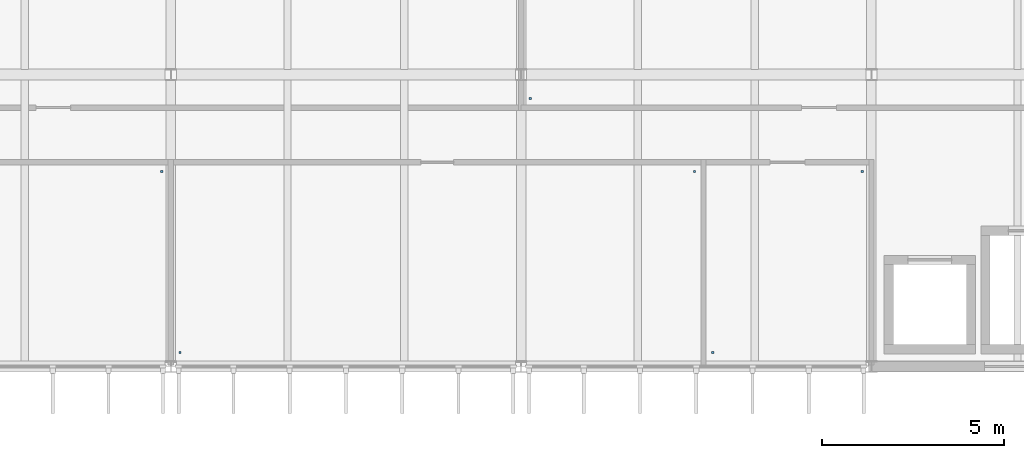
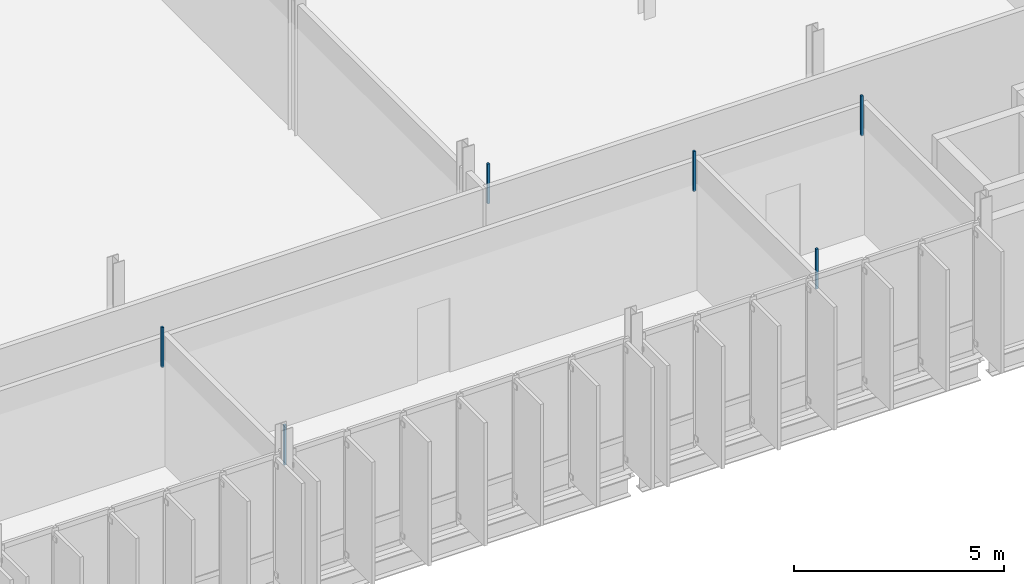
# One storey, part 80 of 110: 6 discrete accessories.
"""IFC4 building model written with IfcOpenShell, lengths in metres."""

import ifcopenshell
import ifcopenshell.guid

model = None  # the IFC model being written
_history = None  # IfcOwnerHistory: only IFC2X3 demands one
_inside = {}  # id of a spatial element -> (the spatial element, [elements in it])
_under = {}  # id of a project, library or spatial element -> (it, [spatial elements below it])
_declared = {}  # id of a project -> (the project, [libraries it declares])
_typed = {}  # id of a type object -> (the type object, [elements of that type])
_made_of = {}  # id of a material, layer set ... -> (it, [elements and type objects made of it])


def new_model(schema):
    """Start an empty IFC model of exactly this schema.

    Asked for "IFC4X3", IfcOpenShell would pick the latest addendum, in which some entities
    have other attributes; the version numbers below select the first issue.
    IFC2X3 requires an IfcOwnerHistory on every rooted entity: one is made here for all.
    """
    global model, _history
    if schema == "IFC4X3":
        model = ifcopenshell.file(schema_version=(4, 3, 0, 0))
    else:
        model = ifcopenshell.file(schema=schema)
    _inside.clear()
    _under.clear()
    _declared.clear()
    _typed.clear()
    _made_of.clear()
    _history = None
    if model.schema == "IFC2X3":
        org = make("IfcOrganization", Name="unknown")
        user = make(
            "IfcPersonAndOrganization",
            ThePerson=make("IfcPerson", FamilyName="unknown"),
            TheOrganization=org,
        )
        app = make(
            "IfcApplication",
            ApplicationDeveloper=org,
            Version="unknown",
            ApplicationFullName="unknown",
            ApplicationIdentifier="unknown",
        )
        _history = make(
            "IfcOwnerHistory",
            OwningUser=user,
            OwningApplication=app,
            ChangeAction="ADDED",
            CreationDate=0,
        )
    return model


def make(cls, **values):
    """One entity of the class cls with the attributes given. An attribute that is None is left unset."""
    return model.create_entity(
        cls, **{name: value for name, value in values.items() if value is not None}
    )


def rooted(cls, **values):
    """An entity with a GlobalId (a new one), such as an element, a storey or a relation."""
    return make(cls, GlobalId=ifcopenshell.guid.new(), OwnerHistory=_history, **values)


def si_unit(unit_type, name, prefix=None):
    """IfcSIUnit, for example si_unit("LENGTHUNIT", "METRE", prefix="MILLI")."""
    return make("IfcSIUnit", UnitType=unit_type, Prefix=prefix, Name=name)


def assignment(units):
    """IfcUnitAssignment: the units of a project."""
    return None if units is None else make("IfcUnitAssignment", Units=units)


def point(xyz):
    """IfcCartesianPoint."""
    return None if xyz is None else make("IfcCartesianPoint", Coordinates=xyz)


def direction(xyz):
    """IfcDirection."""
    return None if xyz is None else make("IfcDirection", DirectionRatios=xyz)


def frame(location, z_axis=None, x_axis=None):
    """IfcAxis2Placement3D, a coordinate frame: its origin and axes. An axis left out is left unset."""
    return make(
        "IfcAxis2Placement3D",
        Location=point(location),
        Axis=direction(z_axis),
        RefDirection=direction(x_axis),
    )


def origin():
    """The frame at (0, 0, 0) with its axes left unset."""
    return frame((0.0, 0.0, 0.0))


def place(relative_to, where):
    """IfcLocalPlacement: puts the frame where relative to a parent placement (None: the world)."""
    return make(
        "IfcLocalPlacement", PlacementRelTo=relative_to, RelativePlacement=where
    )


def context(
    kind, dimensions, precision=None, world=None, true_north=None, identifier=None
):
    """IfcGeometricRepresentationContext, for example the 3D "Model" context."""
    return make(
        "IfcGeometricRepresentationContext",
        ContextIdentifier=identifier,
        ContextType=kind,
        CoordinateSpaceDimension=dimensions,
        Precision=precision,
        WorldCoordinateSystem=world,
        TrueNorth=true_north,
    )


def subcontext(parent, identifier, kind, view, scale=None):
    """IfcGeometricRepresentationSubContext, for example "Body" below "Model"."""
    return make(
        "IfcGeometricRepresentationSubContext",
        ContextIdentifier=identifier,
        ContextType=kind,
        ParentContext=parent,
        TargetScale=scale,
        TargetView=view,
    )


def project(units=None, contexts=None):
    """IfcProject with its units and contexts."""
    return rooted(
        "IfcProject",
        Name="project",
        RepresentationContexts=contexts,
        UnitsInContext=assignment(units),
    )


def spatial(cls, under=None, at=None, **own):
    """A site, building, storey or space (cls), placed at a placement, below another one or the project."""
    s = rooted(cls, ObjectPlacement=at, **own)
    if under is not None:
        _under.setdefault(under.id(), (under, []))[1].append(s)
    return s


def polyline(points):
    """IfcPolyline through the points."""
    return make("IfcPolyline", Points=[point(p) for p in points])


def outline(outer, holes=None, kind="AREA"):
    """IfcArbitraryClosedProfileDef: a profile drawn as a closed curve; with holes, ...WithVoids."""
    if holes is None:
        return make("IfcArbitraryClosedProfileDef", ProfileType=kind, OuterCurve=outer)
    return make(
        "IfcArbitraryProfileDefWithVoids",
        ProfileType=kind,
        OuterCurve=outer,
        InnerCurves=holes,
    )


def extrude(swept, where, along, depth):
    """IfcExtrudedAreaSolid: the profile swept, set in the frame where, extruded along a direction by depth."""
    return make(
        "IfcExtrudedAreaSolid",
        SweptArea=swept,
        Position=where,
        ExtrudedDirection=direction(along),
        Depth=depth,
    )


def shape(context_of_items, identifier, shape_type, items):
    """IfcShapeRepresentation: the items that make up one representation, for example the "Body"."""
    return make(
        "IfcShapeRepresentation",
        ContextOfItems=context_of_items,
        RepresentationIdentifier=identifier,
        RepresentationType=shape_type,
        Items=items,
    )


def material(Name=None, Category=None):
    """IfcMaterial."""
    return make("IfcMaterial", Name=Name, Category=Category)


def made_of(thing, what):
    """Note that an element or type object is made of a material, layer set ...; save() writes the relation."""
    if what is not None:
        _made_of.setdefault(what.id(), (what, []))[1].append(thing)
    return thing


def type_object(cls, material=None, **own):
    """A type object (cls), such as IfcWallType, which elements share."""
    return made_of(rooted(cls, **own), material)


def element(
    cls,
    number,
    at=None,
    inside=None,
    cuts=None,
    type_object=None,
    material=None,
    context=None,
    identifier="Body",
    shape_type=None,
    held_by="IfcProductDefinitionShape",
    body=None,
    shapes=None,
    **own,
):
    """One element of the class cls, such as IfcWall. Its Tag is "e" and its number.

    at: its placement. inside: the storey or other place that contains it. cuts: it is an
    opening in that element (IfcRelVoidsElement). A single representation is given by context,
    identifier, shape_type and body (its items); several are given by shapes. held_by: the class
    of the entity that holds the representations. save() writes the other relations.
    """
    e = rooted(cls, Tag="e%d" % number, ObjectPlacement=at, **own)
    if body is not None:
        shapes = [shape(context, identifier, shape_type, body)]
    if shapes is not None:
        e.Representation = make(held_by, Representations=shapes)
    if inside is not None:
        _inside.setdefault(inside.id(), (inside, []))[1].append(e)
    if cuts is not None:
        rooted(
            "IfcRelVoidsElement", RelatingBuildingElement=cuts, RelatedOpeningElement=e
        )
    if type_object is not None:
        _typed.setdefault(type_object.id(), (type_object, []))[1].append(e)
    return made_of(e, material)


def aggregate(whole, parts):
    """IfcRelAggregates: a whole, such as a stair, and the parts it consists of."""
    return rooted("IfcRelAggregates", RelatingObject=whole, RelatedObjects=parts)


def save(model, path):
    """Write the relations noted so far, then the file.

    IfcRelAggregates (storeys below a building ...), IfcRelContainedInSpatialStructure (elements
    in a storey), IfcRelDefinesByType, IfcRelAssociatesMaterial and IfcRelDeclares: one each for
    every whole, place, type object, material and project.
    """
    for whole, parts in _under.values():
        aggregate(whole, parts)
    for where, things in _inside.values():
        rooted(
            "IfcRelContainedInSpatialStructure",
            RelatedElements=things,
            RelatingStructure=where,
        )
    for kind, things in _typed.values():
        rooted("IfcRelDefinesByType", RelatedObjects=things, RelatingType=kind)
    for what, things in _made_of.values():
        rooted("IfcRelAssociatesMaterial", RelatedObjects=things, RelatingMaterial=what)
    for by, libraries in _declared.values():
        rooted("IfcRelDeclares", RelatingContext=by, RelatedDefinitions=libraries)
    model.write(path)


model = new_model("IFC4")

# Units and contexts
model_context = context("Model", 3, precision=1e-05, world=origin(), true_north=direction((0.0, 1.0)))
body_context = subcontext(model_context, "Body", "Model", "MODEL_VIEW")
ifc_project = project(units=[si_unit("LENGTHUNIT", "METRE"), si_unit("AREAUNIT", "SQUARE_METRE"), si_unit("VOLUMEUNIT", "CUBIC_METRE"), si_unit("PLANEANGLEUNIT", "RADIAN"), si_unit("MASSUNIT", "GRAM", prefix="KILO")], contexts=[model_context])

# Site, building, storey
site_placement = place(None, origin())
site = spatial("IfcSite", under=ifc_project, at=site_placement, CompositionType="ELEMENT")
building_placement = place(site_placement, origin())
building = spatial("IfcBuilding", under=site, at=building_placement, Name="Dunescarp Central Library", CompositionType="ELEMENT")
storey_placement = place(building_placement, frame((0.0, 0.0, 9.60009765625)))
storey = spatial("IfcBuildingStorey", under=building, at=storey_placement, Name="L02", CompositionType="ELEMENT", Elevation=9.60009765625)

# Discrete accessories
ifc_material = material(Name="Stainless steel Grade 316L", Category="steel")
discrete_accessory_type = type_object("IfcDiscreteAccessoryType", Name="ARC-ACC-BRK", PredefinedType="BRACKET", material=ifc_material)
discrete_accessory_1_placement = place(storey_placement, frame((0.0, 0.0, 3.059814453125)))
element("IfcDiscreteAccessory", 1, at=discrete_accessory_1_placement, inside=storey, type_object=discrete_accessory_type, Name="L02 ceiling hanger CLG-L02-099-H1", PredefinedType="BRACKET", context=body_context, shape_type="SweptSolid", body=[
    extrude(outline(polyline([(112.419921875, 5.159912109375), (112.47998046875, 5.159912109375), (112.47998046875, 5.219970703125), (112.419921875, 5.219970703125), (112.419921875, 5.159912109375)])), origin(), (0.0, 0.0, 1.0), 1.16015625),
])
discrete_accessory_2_placement = place(storey_placement, frame((0.0, 0.0, 3.059814453125)))
element("IfcDiscreteAccessory", 2, at=discrete_accessory_2_placement, inside=storey, type_object=discrete_accessory_type, Name="L02 ceiling hanger CLG-L02-099-H2", PredefinedType="BRACKET", context=body_context, shape_type="SweptSolid", body=[
    extrude(outline(polyline([(116.52001953125, 10.1201171875), (116.580078125, 10.1201171875), (116.580078125, 10.179931640625), (116.52001953125, 10.179931640625), (116.52001953125, 10.1201171875)])), origin(), (0.0, 0.0, 1.0), 1.16015625),
])
discrete_accessory_3_placement = place(storey_placement, frame((0.0, 0.0, 3.059814453125)))
element("IfcDiscreteAccessory", 3, at=discrete_accessory_3_placement, inside=storey, type_object=discrete_accessory_type, Name="L02 ceiling hanger CLG-L02-100-H2", PredefinedType="BRACKET", context=body_context, shape_type="SweptSolid", body=[
    extrude(outline(polyline([(97.320068359375, 10.1201171875), (97.3798828125, 10.1201171875), (97.3798828125, 10.179931640625), (97.320068359375, 10.179931640625), (97.320068359375, 10.1201171875)])), origin(), (0.0, 0.0, 1.0), 1.16015625),
])
discrete_accessory_4_placement = place(storey_placement, frame((0.0, 0.0, 3.059814453125)))
element("IfcDiscreteAccessory", 4, at=discrete_accessory_4_placement, inside=storey, type_object=discrete_accessory_type, Name="L02 ceiling hanger CLG-L02-101-H1", PredefinedType="BRACKET", context=body_context, shape_type="SweptSolid", body=[
    extrude(outline(polyline([(97.820068359375, 5.159912109375), (97.8798828125, 5.159912109375), (97.8798828125, 5.219970703125), (97.820068359375, 5.219970703125), (97.820068359375, 5.159912109375)])), origin(), (0.0, 0.0, 1.0), 1.16015625),
])
discrete_accessory_5_placement = place(storey_placement, frame((0.0, 0.0, 3.059814453125)))
element("IfcDiscreteAccessory", 5, at=discrete_accessory_5_placement, inside=storey, type_object=discrete_accessory_type, Name="L02 ceiling hanger CLG-L02-101-H2", PredefinedType="BRACKET", context=body_context, shape_type="SweptSolid", body=[
    extrude(outline(polyline([(111.919921875, 10.1201171875), (111.97998046875, 10.1201171875), (111.97998046875, 10.179931640625), (111.919921875, 10.179931640625), (111.919921875, 10.1201171875)])), origin(), (0.0, 0.0, 1.0), 1.16015625),
])
discrete_accessory_6_placement = place(storey_placement, frame((0.0, 0.0, 3.059814453125)))
element("IfcDiscreteAccessory", 6, at=discrete_accessory_6_placement, inside=storey, type_object=discrete_accessory_type, Name="L02 ceiling hanger CLG-L02-103-H1", PredefinedType="BRACKET", context=body_context, shape_type="SweptSolid", body=[
    extrude(outline(polyline([(107.419921875, 12.1201171875), (107.47998046875, 12.1201171875), (107.47998046875, 12.179931640625), (107.419921875, 12.179931640625), (107.419921875, 12.1201171875)])), origin(), (0.0, 0.0, 1.0), 1.16015625),
])

save(model, "model.ifc")
